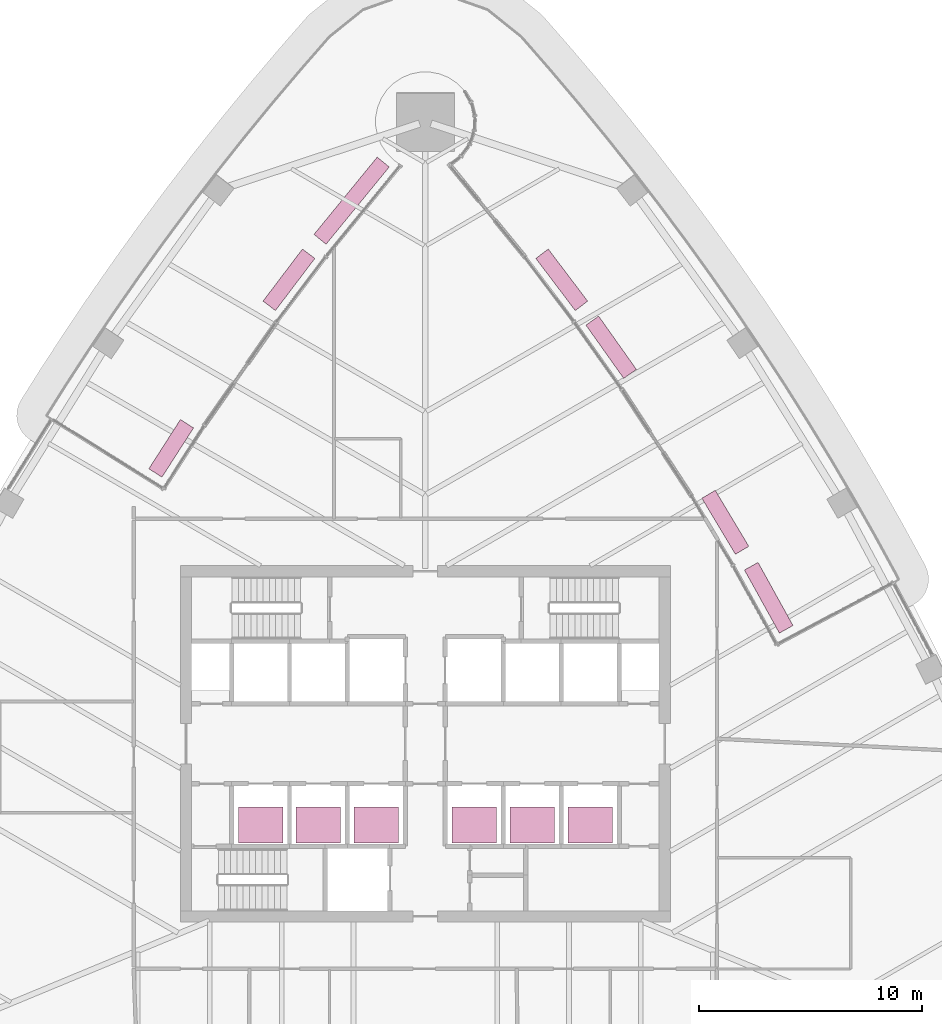
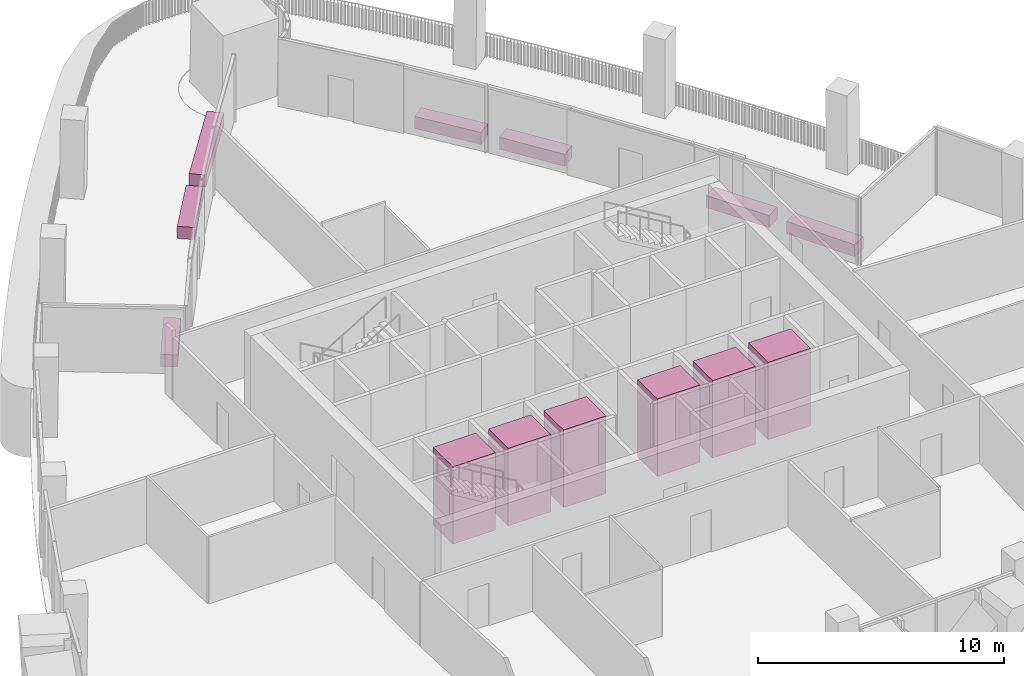
# One storey, part 21 of 21: 7 furniture elements, 6 transport elements.
"""IFC4 building model written with IfcOpenShell, lengths in metres."""

import ifcopenshell
import ifcopenshell.guid

model = None  # the IFC model being written
_history = None  # IfcOwnerHistory: only IFC2X3 demands one
_inside = {}  # id of a spatial element -> (the spatial element, [elements in it])
_under = {}  # id of a project, library or spatial element -> (it, [spatial elements below it])
_declared = {}  # id of a project -> (the project, [libraries it declares])
_typed = {}  # id of a type object -> (the type object, [elements of that type])
_made_of = {}  # id of a material, layer set ... -> (it, [elements and type objects made of it])


def new_model(schema):
    """Start an empty IFC model of exactly this schema.

    Asked for "IFC4X3", IfcOpenShell would pick the latest addendum, in which some entities
    have other attributes; the version numbers below select the first issue.
    IFC2X3 requires an IfcOwnerHistory on every rooted entity: one is made here for all.
    """
    global model, _history
    if schema == "IFC4X3":
        model = ifcopenshell.file(schema_version=(4, 3, 0, 0))
    else:
        model = ifcopenshell.file(schema=schema)
    _inside.clear()
    _under.clear()
    _declared.clear()
    _typed.clear()
    _made_of.clear()
    _history = None
    if model.schema == "IFC2X3":
        org = make("IfcOrganization", Name="unknown")
        user = make(
            "IfcPersonAndOrganization",
            ThePerson=make("IfcPerson", FamilyName="unknown"),
            TheOrganization=org,
        )
        app = make(
            "IfcApplication",
            ApplicationDeveloper=org,
            Version="unknown",
            ApplicationFullName="unknown",
            ApplicationIdentifier="unknown",
        )
        _history = make(
            "IfcOwnerHistory",
            OwningUser=user,
            OwningApplication=app,
            ChangeAction="ADDED",
            CreationDate=0,
        )
    return model


def make(cls, **values):
    """One entity of the class cls with the attributes given. An attribute that is None is left unset."""
    return model.create_entity(
        cls, **{name: value for name, value in values.items() if value is not None}
    )


def rooted(cls, **values):
    """An entity with a GlobalId (a new one), such as an element, a storey or a relation."""
    return make(cls, GlobalId=ifcopenshell.guid.new(), OwnerHistory=_history, **values)


def si_unit(unit_type, name, prefix=None):
    """IfcSIUnit, for example si_unit("LENGTHUNIT", "METRE", prefix="MILLI")."""
    return make("IfcSIUnit", UnitType=unit_type, Prefix=prefix, Name=name)


def assignment(units):
    """IfcUnitAssignment: the units of a project."""
    return None if units is None else make("IfcUnitAssignment", Units=units)


def point(xyz):
    """IfcCartesianPoint."""
    return None if xyz is None else make("IfcCartesianPoint", Coordinates=xyz)


def direction(xyz):
    """IfcDirection."""
    return None if xyz is None else make("IfcDirection", DirectionRatios=xyz)


def frame(location, z_axis=None, x_axis=None):
    """IfcAxis2Placement3D, a coordinate frame: its origin and axes. An axis left out is left unset."""
    return make(
        "IfcAxis2Placement3D",
        Location=point(location),
        Axis=direction(z_axis),
        RefDirection=direction(x_axis),
    )


def frame_2d(location, x_axis=None):
    """IfcAxis2Placement2D, a coordinate frame in the plane: its origin and x axis."""
    return make(
        "IfcAxis2Placement2D", Location=point(location), RefDirection=direction(x_axis)
    )


def origin():
    """The frame at (0, 0, 0) with its axes left unset."""
    return frame((0.0, 0.0, 0.0))


def origin_2d():
    """The frame at (0, 0) in the plane with its x axis left unset."""
    return frame_2d((0.0, 0.0))


def place(relative_to, where):
    """IfcLocalPlacement: puts the frame where relative to a parent placement (None: the world)."""
    return make(
        "IfcLocalPlacement", PlacementRelTo=relative_to, RelativePlacement=where
    )


def context(
    kind, dimensions, precision=None, world=None, true_north=None, identifier=None
):
    """IfcGeometricRepresentationContext, for example the 3D "Model" context."""
    return make(
        "IfcGeometricRepresentationContext",
        ContextIdentifier=identifier,
        ContextType=kind,
        CoordinateSpaceDimension=dimensions,
        Precision=precision,
        WorldCoordinateSystem=world,
        TrueNorth=true_north,
    )


def subcontext(parent, identifier, kind, view, scale=None):
    """IfcGeometricRepresentationSubContext, for example "Body" below "Model"."""
    return make(
        "IfcGeometricRepresentationSubContext",
        ContextIdentifier=identifier,
        ContextType=kind,
        ParentContext=parent,
        TargetScale=scale,
        TargetView=view,
    )


def project(units=None, contexts=None):
    """IfcProject with its units and contexts."""
    return rooted(
        "IfcProject",
        Name="project",
        RepresentationContexts=contexts,
        UnitsInContext=assignment(units),
    )


def spatial(cls, under=None, at=None, **own):
    """A site, building, storey or space (cls), placed at a placement, below another one or the project."""
    s = rooted(cls, ObjectPlacement=at, **own)
    if under is not None:
        _under.setdefault(under.id(), (under, []))[1].append(s)
    return s


def profile(cls, at=None, kind="AREA", **sizes):
    """A parametric profile (cls). Its sizes go by their IFC names, for example OverallWidth=200.0."""
    return make(cls, ProfileType=kind, Position=at, **sizes)


def rectangle(**sizes):
    """IfcRectangleProfileDef."""
    return profile("IfcRectangleProfileDef", **sizes)


def extrude(swept, where, along, depth):
    """IfcExtrudedAreaSolid: the profile swept, set in the frame where, extruded along a direction by depth."""
    return make(
        "IfcExtrudedAreaSolid",
        SweptArea=swept,
        Position=where,
        ExtrudedDirection=direction(along),
        Depth=depth,
    )


def shape(context_of_items, identifier, shape_type, items):
    """IfcShapeRepresentation: the items that make up one representation, for example the "Body"."""
    return make(
        "IfcShapeRepresentation",
        ContextOfItems=context_of_items,
        RepresentationIdentifier=identifier,
        RepresentationType=shape_type,
        Items=items,
    )


def material(Name=None, Category=None):
    """IfcMaterial."""
    return make("IfcMaterial", Name=Name, Category=Category)


def made_of(thing, what):
    """Note that an element or type object is made of a material, layer set ...; save() writes the relation."""
    if what is not None:
        _made_of.setdefault(what.id(), (what, []))[1].append(thing)
    return thing


def type_object(cls, material=None, **own):
    """A type object (cls), such as IfcWallType, which elements share."""
    return made_of(rooted(cls, **own), material)


def element(
    cls,
    number,
    at=None,
    inside=None,
    cuts=None,
    type_object=None,
    material=None,
    context=None,
    identifier="Body",
    shape_type=None,
    held_by="IfcProductDefinitionShape",
    body=None,
    shapes=None,
    **own,
):
    """One element of the class cls, such as IfcWall. Its Tag is "e" and its number.

    at: its placement. inside: the storey or other place that contains it. cuts: it is an
    opening in that element (IfcRelVoidsElement). A single representation is given by context,
    identifier, shape_type and body (its items); several are given by shapes. held_by: the class
    of the entity that holds the representations. save() writes the other relations.
    """
    e = rooted(cls, Tag="e%d" % number, ObjectPlacement=at, **own)
    if body is not None:
        shapes = [shape(context, identifier, shape_type, body)]
    if shapes is not None:
        e.Representation = make(held_by, Representations=shapes)
    if inside is not None:
        _inside.setdefault(inside.id(), (inside, []))[1].append(e)
    if cuts is not None:
        rooted(
            "IfcRelVoidsElement", RelatingBuildingElement=cuts, RelatedOpeningElement=e
        )
    if type_object is not None:
        _typed.setdefault(type_object.id(), (type_object, []))[1].append(e)
    return made_of(e, material)


def aggregate(whole, parts):
    """IfcRelAggregates: a whole, such as a stair, and the parts it consists of."""
    return rooted("IfcRelAggregates", RelatingObject=whole, RelatedObjects=parts)


def save(model, path):
    """Write the relations noted so far, then the file.

    IfcRelAggregates (storeys below a building ...), IfcRelContainedInSpatialStructure (elements
    in a storey), IfcRelDefinesByType, IfcRelAssociatesMaterial and IfcRelDeclares: one each for
    every whole, place, type object, material and project.
    """
    for whole, parts in _under.values():
        aggregate(whole, parts)
    for where, things in _inside.values():
        rooted(
            "IfcRelContainedInSpatialStructure",
            RelatedElements=things,
            RelatingStructure=where,
        )
    for kind, things in _typed.values():
        rooted("IfcRelDefinesByType", RelatedObjects=things, RelatingType=kind)
    for what, things in _made_of.values():
        rooted("IfcRelAssociatesMaterial", RelatedObjects=things, RelatingMaterial=what)
    for by, libraries in _declared.values():
        rooted("IfcRelDeclares", RelatingContext=by, RelatedDefinitions=libraries)
    model.write(path)


model = new_model("IFC4")

# Units and contexts
model_context = context("Model", 3, precision=1e-05, world=origin(), true_north=direction((0.0, 1.0)))
body_context = subcontext(model_context, "Body", "Model", "MODEL_VIEW")
ifc_project = project(units=[si_unit("LENGTHUNIT", "METRE"), si_unit("AREAUNIT", "SQUARE_METRE"), si_unit("VOLUMEUNIT", "CUBIC_METRE"), si_unit("PLANEANGLEUNIT", "RADIAN"), si_unit("MASSUNIT", "GRAM", prefix="KILO")], contexts=[model_context])

# Site, building, storey
site_placement = place(None, origin())
site = spatial("IfcSite", under=ifc_project, at=site_placement, CompositionType="ELEMENT")
building_placement = place(site_placement, origin())
building = spatial("IfcBuilding", under=site, at=building_placement, Name="Sierra Prisma Convention Tower", CompositionType="ELEMENT")
storey_placement = place(building_placement, frame((0.0, 0.0, 157.800048828125)))
storey = spatial("IfcBuildingStorey", under=building, at=storey_placement, Name="L34", CompositionType="ELEMENT", Elevation=157.800048828125)

# Transport elements
ifc_material_1 = material(Name="Stainless steel", Category="steel")
transport_element_type = type_object("IfcTransportElementType", Name="Lift car office low 2000x1600 1600 kg", PredefinedType="ELEVATOR", material=ifc_material_1)
for number, where, z_axis, x_axis, name in (
    (1, (-7.39990234375, -3.64990234375, 0.0), (0.0, 0.0, 1.0), (1.0, 0.0, 0.0), "Lift OL1"),
    (2, (-4.800048828125, -3.64990234375, 0.0), (0.0, 0.0, 1.0), (1.0, 0.0, 0.0), "Lift OL2"),
    (3, (-2.199951171875, -3.64990234375, 0.0), (0.0, 0.0, 1.0), (1.0, 0.0, 0.0), "Lift OL3"),
    (4, (2.199951171875, -3.64990234375, 0.0), (0.0, 0.0, 1.0), (1.0, 0.0, 0.0), "Lift OL4"),
    (5, (4.800048828125, -3.64990234375, 0.0), (0.0, 0.0, 1.0), (1.0, 0.0, 0.0), "Lift OL5"),
    (6, (7.39990234375, -3.64990234375, 0.0), (0.0, 0.0, 1.0), (1.0, 0.0, 0.0), "Lift OL6"),
):
    element("IfcTransportElement", number, at=place(storey_placement, frame(where, z_axis=z_axis, x_axis=x_axis)), inside=storey, type_object=transport_element_type, Name=name, PredefinedType="ELEVATOR", context=body_context, shape_type="SweptSolid", body=[
        extrude(rectangle(XDim=2.0, YDim=1.60009765625, at=origin_2d()), origin(), (0.0, 0.0, 1.0), 3.85009765625),
    ])

# Furniture
ifc_material_2 = material(Name="Precast concrete C40/50", Category="concrete")
furniture_type = type_object("IfcFurnitureType", Name="Terrace planter", AssemblyPlace="NOTDEFINED", PredefinedType="USERDEFINED", material=ifc_material_2)
furniture_1_placement = place(storey_placement, frame((15.4208984375, 6.5576171875, 0.039794921875), z_axis=(0.0, 0.0, 1.0), x_axis=(-0.484443618617, 0.874822485069, 0.0)))
element("IfcFurniture", 7, at=furniture_1_placement, inside=storey, type_object=furniture_type, Name="Planter L34.1", ObjectType="PLANTER", PredefinedType="USERDEFINED", context=body_context, shape_type="SweptSolid", body=[
    extrude(rectangle(XDim=3.238525390625, YDim=0.699951171875, at=origin_2d()), origin(), (0.0, 0.0, 1.0), 0.60009765625),
])
for number, where, z_axis, x_axis, name in (
    (8, (13.47265625, 9.9462890625, 0.039794921875), (0.0, 0.0, 1.0), (-0.513386079154, 0.858157755737, 0.0), "Planter L34.2"),
    (9, (8.34521484375, 17.8076171875, 0.039794921875), (0.0, 0.0, 1.0), (-0.578396430625, 0.81575582685, 0.0), "Planter L34.4"),
    (10, (6.1259765625, 20.836669921875, 0.039794921875), (0.0, 0.0, 1.0), (-0.603446185925, 0.79740372503, 0.0), "Planter L34.5"),
):
    element("IfcFurniture", number, at=place(storey_placement, frame(where, z_axis=z_axis, x_axis=x_axis)), inside=storey, type_object=furniture_type, Name=name, ObjectType="PLANTER", PredefinedType="USERDEFINED", context=body_context, shape_type="SweptSolid", body=[
        extrude(rectangle(XDim=2.933837890625, YDim=0.699951171875, at=origin_2d()), origin(), (0.0, 0.0, 1.0), 0.60009765625),
    ])
furniture_2_placement = place(storey_placement, frame((-3.31103515625, 24.389892578125, 0.039794921875), z_axis=(0.0, 0.0, 1.0), x_axis=(-0.633210722259, -0.773979444957, 0.0)))
element("IfcFurniture", 11, at=furniture_2_placement, inside=storey, type_object=furniture_type, Name="Planter L34.31", ObjectType="PLANTER", PredefinedType="USERDEFINED", context=body_context, shape_type="SweptSolid", body=[
    extrude(rectangle(XDim=4.48095703125, YDim=0.699951171875, at=origin_2d()), origin(), (0.0, 0.0, 1.0), 0.60009765625),
])
furniture_3_placement = place(storey_placement, frame((-6.1259765625, 20.836669921875, 0.039794921875), z_axis=(0.0, 0.0, 1.0), x_axis=(-0.603446185925, -0.79740372503, 0.0)))
element("IfcFurniture", 12, at=furniture_3_placement, inside=storey, type_object=furniture_type, Name="Planter L34.32", ObjectType="PLANTER", PredefinedType="USERDEFINED", context=body_context, shape_type="SweptSolid", body=[
    extrude(rectangle(XDim=2.933837890625, YDim=0.699951171875, at=origin_2d()), origin(), (0.0, 0.0, 1.0), 0.60009765625),
])
furniture_4_placement = place(storey_placement, frame((-11.413330078125, 13.267822265625, 0.039794921875), z_axis=(0.0, 0.0, 1.0), x_axis=(-0.540364644224, -0.841430954549, 0.0)))
element("IfcFurniture", 13, at=furniture_4_placement, inside=storey, type_object=furniture_type, Name="Planter L34.34", ObjectType="PLANTER", PredefinedType="USERDEFINED", context=body_context, shape_type="SweptSolid", body=[
    extrude(rectangle(XDim=2.62890625, YDim=0.699951171875, at=origin_2d()), origin(), (0.0, 0.0, 1.0), 0.60009765625),
])

save(model, "model.ifc")
